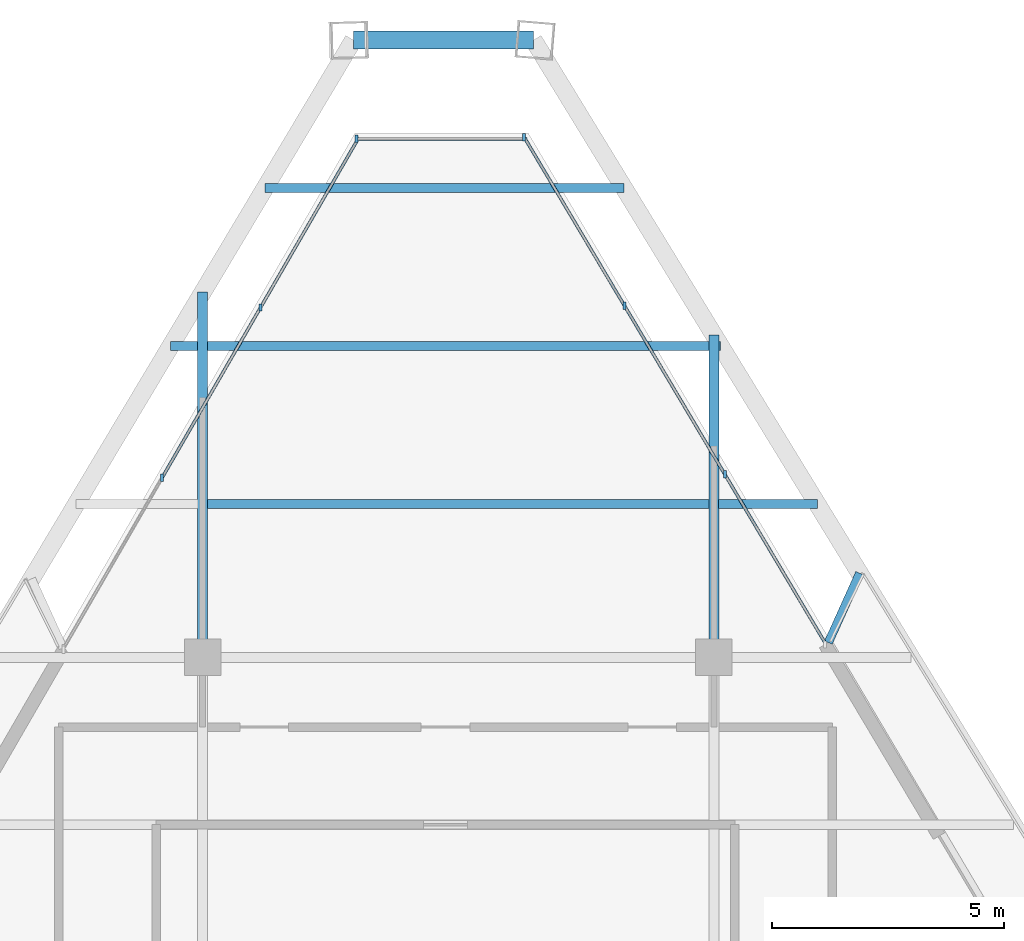
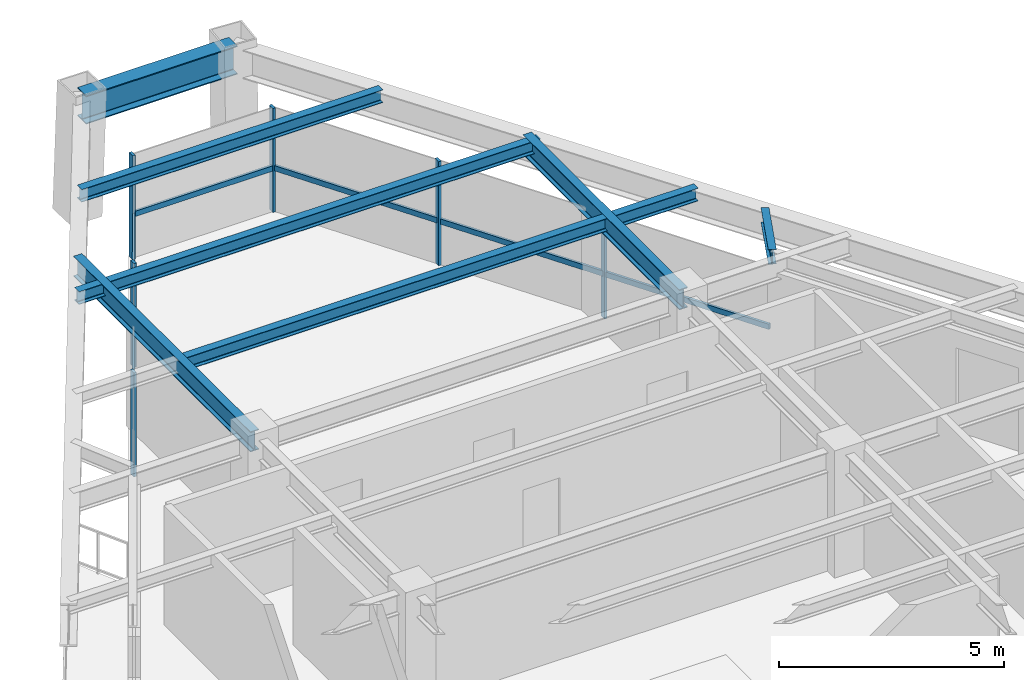
# One storey, part 7 of 13: 12 members, 8 beams, 3 elements without a shape of their own.
"""IFC4 building model written with IfcOpenShell, lengths in metres."""

from ifc_helpers import new_model, si_unit, direction, frame, origin, origin_2d, place, context, subcontext, project, spatial, rectangle, i_section, extrude, source, transform, mapped, material, material_profile, profile_set, type_object, type_shapes, element, aggregate, save


model = new_model("IFC4")

# Units and contexts
model_context = context("Model", 3, precision=1e-05, world=origin(), true_north=direction((0.0, 1.0)))
body_context = subcontext(model_context, "Body", "Model", "MODEL_VIEW")
ifc_project = project(units=[si_unit("LENGTHUNIT", "METRE"), si_unit("AREAUNIT", "SQUARE_METRE"), si_unit("VOLUMEUNIT", "CUBIC_METRE"), si_unit("PLANEANGLEUNIT", "RADIAN"), si_unit("MASSUNIT", "GRAM", prefix="KILO")], contexts=[model_context])

# Site, building, storey
site_placement = place(None, origin())
site = spatial("IfcSite", under=ifc_project, at=site_placement, CompositionType="ELEMENT")
building_placement = place(site_placement, origin())
building = spatial("IfcBuilding", under=site, at=building_placement, Name="Varnakhor Terracotta Tower", CompositionType="ELEMENT")
storey_placement = place(building_placement, frame((0.0, 0.0, 273.0)))
storey = spatial("IfcBuildingStorey", under=building, at=storey_placement, Name="L71", CompositionType="ELEMENT", Elevation=273.0)

# Beams
ifc_material_1 = material(Name="Steel S355", Category="steel")
ifc_material_profile_1 = material_profile(ifc_material_1, i_section(OverallWidth=0.202880859375, OverallDepth=0.346923828125, WebThickness=0.0078125, FlangeThickness=0.013427734375, FilletRadius=0.01806640625, at=origin_2d()), Name="W14X43")
ifc_profile_set_1 = profile_set([ifc_material_profile_1], Name="Steel S355")
beam_type_1 = type_object("IfcBeamType", Name="JST-W14X43", PredefinedType="JOIST", material=ifc_profile_set_1)
shared_shape_1 = source(origin(), body_context, "Body", "SweptSolid", [
    extrude(i_section(OverallWidth=0.202880859375, OverallDepth=0.346923828125, WebThickness=0.0078125, FlangeThickness=0.013427734375, FilletRadius=0.01806640625, at=origin_2d()), origin(), (0.0, 0.0, 1.0), 10.7939453125),
])
beam_1_placement = place(storey_placement, frame((-5.39697265625, 34.800048828125, 3.06640625), z_axis=(1.0, 0.0, 0.0), x_axis=(0.0, 1.0, 0.0)))
element("IfcBeam", 1, at=beam_1_placement, inside=storey, type_object=beam_type_1, Name="L71 Composite Floor Joist 7-2", PredefinedType="JOIST", context=body_context, shape_type="MappedRepresentation", body=[
    mapped(shared_shape_1, transform((0.0, 0.0, 0.0), scale=1.0)),
])
ifc_material_profile_2 = material_profile(ifc_material_1, i_section(OverallWidth=0.381103515625, OverallDepth=0.77294921875, WebThickness=0.01708984375, FlangeThickness=0.027099609375, FilletRadius=0.01806640625, at=origin_2d()), Name="W30X173")
ifc_profile_set_2 = profile_set([ifc_material_profile_2], Name="Steel S355")
beam_type_2 = type_object("IfcBeamType", Name="BM-W30X173", PredefinedType="BEAM", material=ifc_profile_set_2)
shared_shape_2 = source(origin(), body_context, "Body", "SweptSolid", [
    extrude(i_section(OverallWidth=0.381103515625, OverallDepth=0.77294921875, WebThickness=0.01708984375, FlangeThickness=0.027099609375, FilletRadius=0.01806640625, at=origin_2d()), origin(), (0.0, 0.0, 1.0), 3.876220703125),
])
beam_2_placement = place(storey_placement, frame((1.6181640625, 44.7841796875, 2.853515625), z_axis=(-1.0, 0.0, 0.0), x_axis=(0.0, -1.0, 0.0)))
element("IfcBeam", 2, at=beam_2_placement, inside=storey, type_object=beam_type_2, Name="L71 Perimeter Spandrel 5", PredefinedType="BEAM", context=body_context, shape_type="MappedRepresentation", body=[
    mapped(shared_shape_2, transform((0.0, 0.0, 0.0), scale=1.0)),
])
ifc_material_profile_3 = material_profile(ifc_material_1, i_section(OverallWidth=0.214111328125, OverallDepth=0.549072265625, WebThickness=0.014892578125, FlangeThickness=0.02392578125, FilletRadius=0.01806640625, at=origin_2d()), Name="W21X93")
ifc_profile_set_3 = profile_set([ifc_material_profile_3], Name="Steel S355")
beam_type_3 = type_object("IfcBeamType", Name="BM-W21X93", PredefinedType="BEAM", material=ifc_profile_set_3)
shared_shape_3 = source(origin(), body_context, "Body", "SweptSolid", [
    extrude(i_section(OverallWidth=0.214111328125, OverallDepth=0.549072265625, WebThickness=0.014892578125, FlangeThickness=0.02392578125, FilletRadius=0.01806640625, at=origin_2d()), origin(), (0.0, 0.0, 1.0), 7.857421875),
])
beam_3_placement = place(storey_placement, frame((-5.5, 31.5, 2.965576171875), z_axis=(0.0, 1.0, 0.0), x_axis=(-1.0, 0.0, 0.0)))
element("IfcBeam", 3, at=beam_3_placement, inside=storey, type_object=beam_type_3, Name="L71 Primary Girder NS3-W", PredefinedType="BEAM", context=body_context, shape_type="MappedRepresentation", body=[
    mapped(shared_shape_3, transform((0.0, 0.0, 0.0), scale=1.0)),
])
shared_shape_4 = source(origin(), body_context, "Body", "SweptSolid", [
    extrude(i_section(OverallWidth=0.214111328125, OverallDepth=0.549072265625, WebThickness=0.014892578125, FlangeThickness=0.02392578125, FilletRadius=0.01806640625, at=origin_2d()), origin(), (0.0, 0.0, 1.0), 6.938232421875),
])
beam_4_placement = place(storey_placement, frame((5.5, 31.5, 2.965576171875), z_axis=(0.0, 1.0, 0.0), x_axis=(-1.0, 0.0, 0.0)))
element("IfcBeam", 4, at=beam_4_placement, inside=storey, type_object=beam_type_3, Name="L71 Primary Girder NS3-E", PredefinedType="BEAM", context=body_context, shape_type="MappedRepresentation", body=[
    mapped(shared_shape_4, transform((0.0, 0.0, 0.0), scale=1.0)),
])
shared_shape_5 = source(origin(), body_context, "Body", "SweptSolid", [
    extrude(i_section(OverallWidth=0.202880859375, OverallDepth=0.346923828125, WebThickness=0.0078125, FlangeThickness=0.013427734375, FilletRadius=0.01806640625, at=origin_2d()), origin(), (0.0, 0.0, 1.0), 2.12255859375),
])
beam_5_placement = place(storey_placement, frame((5.60302734375, 34.800048828125, 3.06640625), z_axis=(1.0, 0.0, 0.0), x_axis=(0.0, 1.0, 0.0)))
element("IfcBeam", 5, at=beam_5_placement, inside=storey, type_object=beam_type_1, Name="L71 Composite Floor Joist 7-3", PredefinedType="JOIST", context=body_context, shape_type="MappedRepresentation", body=[
    mapped(shared_shape_5, transform((0.0, 0.0, 0.0), scale=1.0)),
])
shared_shape_6 = source(origin(), body_context, "Body", "SweptSolid", [
    extrude(i_section(OverallWidth=0.202880859375, OverallDepth=0.346923828125, WebThickness=0.0078125, FlangeThickness=0.013427734375, FilletRadius=0.01806640625, at=origin_2d()), origin(), (0.0, 0.0, 1.0), 11.837158203125),
])
beam_6_placement = place(storey_placement, frame((-6.19140625, 38.199951171875, 3.06640625), z_axis=(1.0, 0.0, 0.0), x_axis=(0.0, 1.0, 0.0)))
element("IfcBeam", 6, at=beam_6_placement, inside=storey, type_object=beam_type_1, Name="L71 Composite Floor Joist 8-1", PredefinedType="JOIST", context=body_context, shape_type="MappedRepresentation", body=[
    mapped(shared_shape_6, transform((0.0, 0.0, 0.0), scale=1.0)),
])
shared_shape_7 = source(origin(), body_context, "Body", "SweptSolid", [
    extrude(i_section(OverallWidth=0.202880859375, OverallDepth=0.346923828125, WebThickness=0.0078125, FlangeThickness=0.013427734375, FilletRadius=0.01806640625, at=origin_2d()), origin(), (0.0, 0.0, 1.0), 7.726318359375),
])
beam_7_placement = place(storey_placement, frame((-4.160400390625, 41.60009765625, 3.06640625), z_axis=(1.0, 0.0, 0.0), x_axis=(0.0, 1.0, 0.0)))
element("IfcBeam", 7, at=beam_7_placement, inside=storey, type_object=beam_type_1, Name="L71 Composite Floor Joist 9-1", PredefinedType="JOIST", context=body_context, shape_type="MappedRepresentation", body=[
    mapped(shared_shape_7, transform((0.0, 0.0, 0.0), scale=1.0)),
])

# Curtain wall, members
ifc_material_2 = material(Name="Anodised Aluminium Curtain Wall System", Category="aluminium")
curtain_wall_type = type_object("IfcCurtainWallType", Name="CW-SYS-HOTEL-LOGGIA", PredefinedType="NOTDEFINED", material=ifc_material_2)
curtain_wall_1_placement = place(storey_placement, origin())
curtain_wall_1 = element("IfcCurtainWall", 8, at=curtain_wall_1_placement, inside=storey, type_object=curtain_wall_type, Name="L71 W Facet Curtain Wall 2", PredefinedType="NOTDEFINED")
ifc_material_3 = material(Name="Anodised Aluminium 6063-T6", Category="aluminium")
ifc_material_profile_4 = material_profile(ifc_material_3, rectangle(XDim=0.06494140625, YDim=0.159912109375, at=origin_2d()), Name="ALU MULLION 65x160")
ifc_profile_set_4 = profile_set([ifc_material_profile_4], Name="Anodised Aluminium 6063-T6")
member_type_1 = type_object("IfcMemberType", Name="CWM-04", PredefinedType="MULLION", material=ifc_profile_set_4)
shared_shape_8 = source(origin(), body_context, "Body", "SweptSolid", [
    extrude(rectangle(XDim=0.06494140625, YDim=0.159912109375, at=origin_2d()), origin(), (0.0, 0.0, 1.0), 2.820068359375),
])
type_shapes(member_type_1, [shared_shape_8])
member_1_placement = place(storey_placement, frame((-6.374267578125, 35.36474609375, 0.0), z_axis=(0.0, 0.0, 1.0), x_axis=(1.0, 0.0, 0.0)))
member_1 = element("IfcMember", 9, at=member_1_placement, type_object=member_type_1, Name="L71 W Facet Curtain Wall 2 Mullion 2", PredefinedType="MULLION", context=body_context, shape_type="MappedRepresentation", body=[
    mapped(shared_shape_8, transform((0.0, 0.0, 0.0), scale=1.0)),
])
member_2_placement = place(storey_placement, frame((-4.255126953125, 39.029052734375, 0.0), z_axis=(0.0, 0.0, 1.0), x_axis=(1.0, 0.0, 0.0)))
member_2 = element("IfcMember", 10, at=member_2_placement, type_object=member_type_1, Name="L71 W Facet Curtain Wall 2 Mullion 3", PredefinedType="MULLION", context=body_context, shape_type="MappedRepresentation", body=[
    mapped(shared_shape_8, transform((0.0, 0.0, 0.0), scale=1.0)),
])

# Curtain wall, member
curtain_wall_2_placement = place(storey_placement, origin())
curtain_wall_2 = element("IfcCurtainWall", 11, at=curtain_wall_2_placement, inside=storey, type_object=curtain_wall_type, Name="L71 Facet Curtain Wall 2", PredefinedType="NOTDEFINED")
member_3_placement = place(storey_placement, frame((-2.19482421875, 42.65966796875, 0.0), z_axis=(0.0, 0.0, 1.0), x_axis=(1.0, 0.0, 0.0)))
member_3 = element("IfcMember", 12, at=member_3_placement, type_object=member_type_1, Name="L71 Facet Curtain Wall 2 Mullion 1", PredefinedType="MULLION", context=body_context, shape_type="MappedRepresentation", body=[
    mapped(shared_shape_8, transform((0.0, 0.0, 0.0), scale=1.0)),
])

# Curtain wall, members
curtain_wall_3_placement = place(storey_placement, origin())
curtain_wall_3 = element("IfcCurtainWall", 13, at=curtain_wall_3_placement, inside=storey, type_object=curtain_wall_type, Name="L71 E Facet Curtain Wall 1", PredefinedType="NOTDEFINED")
member_4_placement = place(storey_placement, frame((1.419189453125, 42.6923828125, 0.0), z_axis=(0.0, 0.0, 1.0), x_axis=(1.0, 0.0, 0.0)))
member_4 = element("IfcMember", 14, at=member_4_placement, type_object=member_type_1, Name="L71 E Facet Curtain Wall 1 Mullion 1", PredefinedType="MULLION", context=body_context, shape_type="MappedRepresentation", body=[
    mapped(shared_shape_8, transform((0.0, 0.0, 0.0), scale=1.0)),
])
member_5_placement = place(storey_placement, frame((3.577392578125, 39.06591796875, 0.0), z_axis=(0.0, 0.0, 1.0), x_axis=(1.0, 0.0, 0.0)))
member_5 = element("IfcMember", 15, at=member_5_placement, type_object=member_type_1, Name="L71 E Facet Curtain Wall 1 Mullion 2", PredefinedType="MULLION", context=body_context, shape_type="MappedRepresentation", body=[
    mapped(shared_shape_8, transform((0.0, 0.0, 0.0), scale=1.0)),
])
member_6_placement = place(storey_placement, frame((5.7353515625, 35.439453125, 0.0), z_axis=(0.0, 0.0, 1.0), x_axis=(1.0, 0.0, 0.0)))
member_6 = element("IfcMember", 16, at=member_6_placement, type_object=member_type_1, Name="L71 E Facet Curtain Wall 1 Mullion 3", PredefinedType="MULLION", context=body_context, shape_type="MappedRepresentation", body=[
    mapped(shared_shape_8, transform((0.0, 0.0, 0.0), scale=1.0)),
])

# Member
ifc_material_profile_5 = material_profile(ifc_material_3, rectangle(XDim=0.06494140625, YDim=0.14501953125, at=origin_2d()), Name="ALU TRANSOM 65x145")
ifc_profile_set_5 = profile_set([ifc_material_profile_5], Name="Anodised Aluminium 6063-T6")
member_type_2 = type_object("IfcMemberType", Name="CWT-04", PredefinedType="USERDEFINED", material=ifc_profile_set_5)
shared_shape_9 = source(origin(), body_context, "Body", "SweptSolid", [
    extrude(rectangle(XDim=0.06494140625, YDim=0.14501953125, at=origin_2d()), origin(), (0.0, 0.0, 1.0), 4.233154296875),
])
member_7_placement = place(storey_placement, frame((-4.255126953125, 39.029052734375, 1.184326171875), z_axis=(0.500604256642, 0.865676254862, 0.0), x_axis=(-0.865676254862, 0.500604256642, 0.0)))
member_7 = element("IfcMember", 17, at=member_7_placement, type_object=member_type_2, Name="L71 W Facet Curtain Wall 2 Transom 3", ObjectType="TRANSOM", PredefinedType="USERDEFINED", context=body_context, shape_type="MappedRepresentation", body=[
    mapped(shared_shape_9, transform((0.0, 0.0, 0.0), scale=1.0)),
])

shared_shape_10 = source(origin(), body_context, "Body", "SweptSolid", [
    extrude(rectangle(XDim=0.06494140625, YDim=0.14501953125, at=origin_2d()), origin(), (0.0, 0.0, 1.0), 4.23291015625),
])
member_8_placement = place(storey_placement, frame((-6.374267578125, 35.36474609375, 1.184326171875), z_axis=(0.500629251054, 0.865661800583, 0.0), x_axis=(-0.865661800583, 0.500629251054, 0.0)))
member_8 = element("IfcMember", 18, at=member_8_placement, type_object=member_type_2, Name="L71 W Facet Curtain Wall 2 Transom 2", ObjectType="TRANSOM", PredefinedType="USERDEFINED", context=body_context, shape_type="MappedRepresentation", body=[
    mapped(shared_shape_10, transform((0.0, 0.0, 0.0), scale=1.0)),
])

aggregate(curtain_wall_1, [member_1, member_8, member_2, member_7])

shared_shape_11 = source(origin(), body_context, "Body", "SweptSolid", [
    extrude(rectangle(XDim=0.06494140625, YDim=0.14501953125, at=origin_2d()), origin(), (0.0, 0.0, 1.0), 3.671875),
])
member_9_placement = place(storey_placement, frame((-2.19482421875, 42.65966796875, 1.184326171875), z_axis=(1.0, 0.0, 0.0), x_axis=(0.0, 1.0, 0.0)))
member_9 = element("IfcMember", 19, at=member_9_placement, type_object=member_type_2, Name="L71 Facet Curtain Wall 2 Transom 1", ObjectType="TRANSOM", PredefinedType="USERDEFINED", context=body_context, shape_type="MappedRepresentation", body=[
    mapped(shared_shape_11, transform((0.0, 0.0, 0.0), scale=1.0)),
])

aggregate(curtain_wall_2, [member_3, member_9])

shared_shape_12 = source(origin(), body_context, "Body", "SweptSolid", [
    extrude(rectangle(XDim=0.06494140625, YDim=0.14501953125, at=origin_2d()), origin(), (0.0, 0.0, 1.0), 4.219970703125),
])
member_10_placement = place(storey_placement, frame((1.419189453125, 42.6923828125, 1.184326171875), z_axis=(0.511412662865, -0.859335259524, 0.0), x_axis=(0.859335259524, 0.511412662865, 0.0)))
member_10 = element("IfcMember", 20, at=member_10_placement, type_object=member_type_2, Name="L71 E Facet Curtain Wall 1 Transom 1", ObjectType="TRANSOM", PredefinedType="USERDEFINED", context=body_context, shape_type="MappedRepresentation", body=[
    mapped(shared_shape_12, transform((0.0, 0.0, 0.0), scale=1.0)),
])

member_11_placement = place(storey_placement, frame((3.577392578125, 39.06591796875, 1.184326171875), z_axis=(0.511369939667, -0.859360683767, 0.0), x_axis=(0.859360683767, 0.511369939667, 0.0)))
member_11 = element("IfcMember", 21, at=member_11_placement, type_object=member_type_2, Name="L71 E Facet Curtain Wall 1 Transom 2", ObjectType="TRANSOM", PredefinedType="USERDEFINED", context=body_context, shape_type="MappedRepresentation", body=[
    mapped(shared_shape_12, transform((0.0, 0.0, 0.0), scale=1.0)),
])

member_12_placement = place(storey_placement, frame((5.7353515625, 35.439453125, 1.184326171875), z_axis=(0.511412662865, -0.859335259524, 0.0), x_axis=(0.859335259524, 0.511412662865, 0.0)))
member_12 = element("IfcMember", 22, at=member_12_placement, type_object=member_type_2, Name="L71 E Facet Curtain Wall 1 Transom 3", ObjectType="TRANSOM", PredefinedType="USERDEFINED", context=body_context, shape_type="MappedRepresentation", body=[
    mapped(shared_shape_12, transform((0.0, 0.0, 0.0), scale=1.0)),
])

aggregate(curtain_wall_3, [member_4, member_10, member_5, member_11, member_6, member_12])

# Beam
ifc_material_profile_6 = material_profile(ifc_material_1, i_section(OverallWidth=0.179931640625, OverallDepth=0.39990234375, WebThickness=0.008544921875, FlangeThickness=0.013427734375, FilletRadius=0.01806640625, at=origin_2d()), Name="IPE400")
ifc_profile_set_6 = profile_set([ifc_material_profile_6], Name="Steel S355")
beam_type_4 = type_object("IfcBeamType", Name="JST-IPE400", PredefinedType="JOIST", material=ifc_profile_set_6)
shared_shape_13 = source(origin(), body_context, "Body", "SweptSolid", [
    extrude(i_section(OverallWidth=0.179931640625, OverallDepth=0.39990234375, WebThickness=0.008544921875, FlangeThickness=0.013427734375, FilletRadius=0.01806640625, at=origin_2d()), origin(), (0.0, 0.0, 1.0), 1.63720703125),
])
beam_8_placement = place(storey_placement, frame((7.963623046875, 31.818359375, 3.0400390625), z_axis=(0.411003263865, 0.911633872282, 0.0), x_axis=(-0.911633872282, 0.411003263865, 0.0)))
element("IfcBeam", 23, at=beam_8_placement, inside=storey, type_object=beam_type_4, Name="L72 E Loggia Tie Beam 1", PredefinedType="JOIST", context=body_context, shape_type="MappedRepresentation", body=[
    mapped(shared_shape_13, transform((0.0, 0.0, 0.0), scale=1.0)),
])

save(model, "model.ifc")
